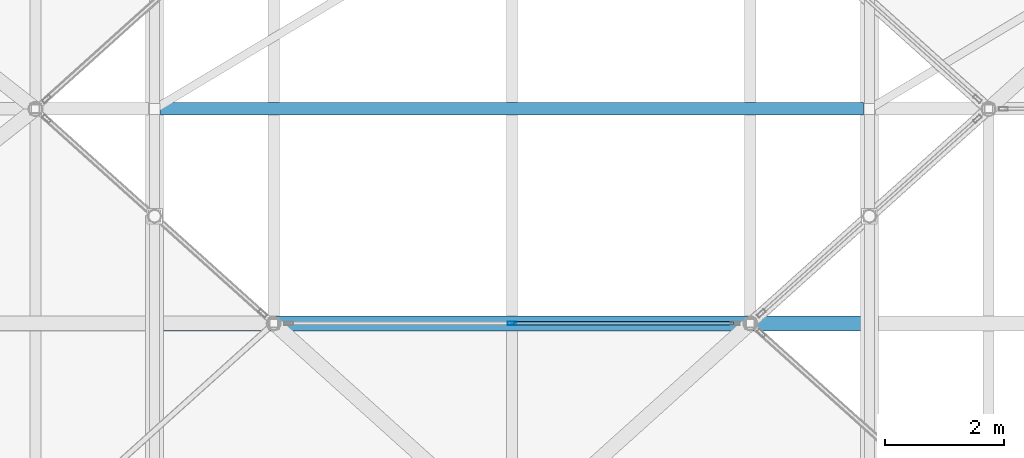
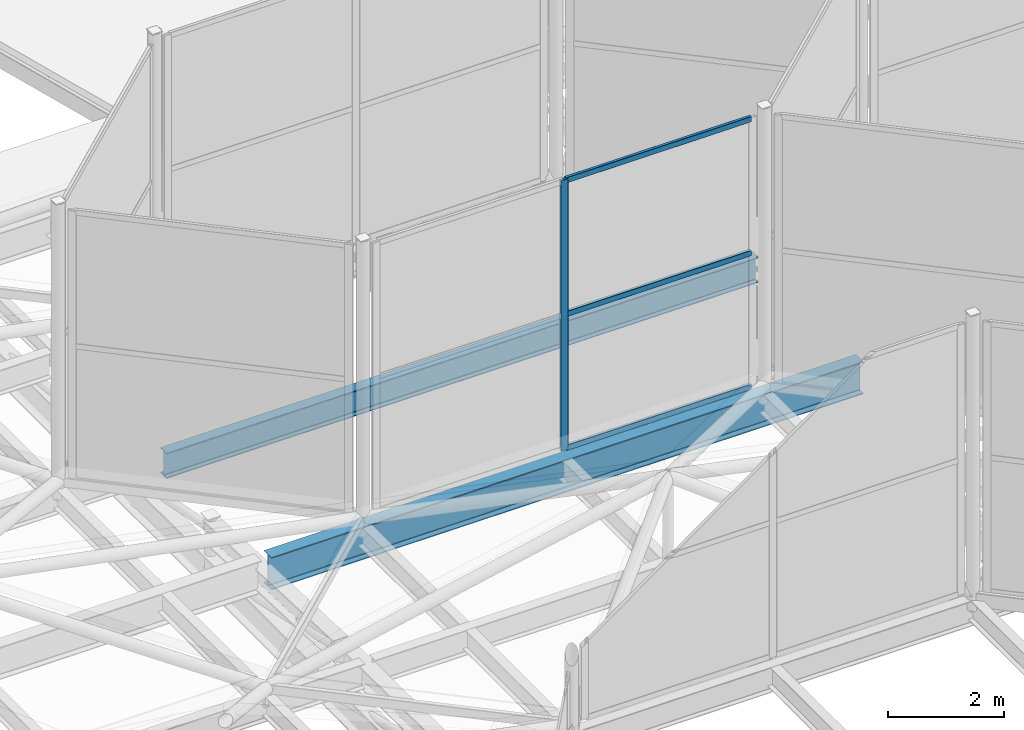
# One storey, part 69 of 239: 4 members, 2 beams, 1 element without a shape of its own.
"""IFC4 building model written with IfcOpenShell, lengths in metres."""

from ifc_helpers import new_model, si_unit, direction, frame, origin, origin_2d, place, context, subcontext, project, spatial, hollow_rectangle, i_section, extrude, material, layer, layer_set, material_profile, profile_set, type_object, element, aggregate, save


model = new_model("IFC4")

# Units and contexts
model_context = context("Model", 3, precision=1e-05, world=origin(), true_north=direction((0.0, 1.0)))
body_context = subcontext(model_context, "Body", "Model", "MODEL_VIEW")
ifc_project = project(units=[si_unit("LENGTHUNIT", "METRE"), si_unit("AREAUNIT", "SQUARE_METRE"), si_unit("VOLUMEUNIT", "CUBIC_METRE"), si_unit("PLANEANGLEUNIT", "RADIAN"), si_unit("MASSUNIT", "GRAM", prefix="KILO")], contexts=[model_context])

# Site, building, storey
site_placement = place(None, origin())
site = spatial("IfcSite", under=ifc_project, at=site_placement, CompositionType="ELEMENT")
building_placement = place(site_placement, origin())
building = spatial("IfcBuilding", under=site, at=building_placement, Name="Dunvalen Ferry Terminal", CompositionType="ELEMENT")
storey_placement = place(building_placement, frame((0.0, 0.0, 9.840087890625)))
storey = spatial("IfcBuildingStorey", under=building, at=storey_placement, Name="L02", CompositionType="ELEMENT", Elevation=9.840087890625)

# Curtain wall, members
ifc_material_1 = material(Name="Anodised marine aluminium and solar-control glazing", Category="aluminium")
ifc_layer = layer(ifc_material_1, 0.179931640625, Name="Anodised marine aluminium and solar-control glazing")
ifc_layer_set = layer_set([ifc_layer], Name="Anodised marine aluminium and solar-control glazing")
curtain_wall_type = type_object("IfcCurtainWallType", Name="ENV-CW-SYS-06", PredefinedType="NOTDEFINED", material=ifc_layer_set)
curtain_wall_placement = place(storey_placement, origin())
curtain_wall = element("IfcCurtainWall", 1, at=curtain_wall_placement, inside=storey, type_object=curtain_wall_type, Name="L02 Curtain Wall CW-HEX-16-SK-2", PredefinedType="NOTDEFINED")
ifc_material_2 = material(Name="Anodised marine aluminium EN AW-6063 T6", Category="aluminium")
ifc_material_profile_1 = material_profile(ifc_material_2, hollow_rectangle(XDim=0.06005859375, YDim=0.14990234375, WallThickness=0.00341796875, InnerFilletRadius=0.00341796875, OuterFilletRadius=0.007080078125, at=origin_2d()), Name="Anodised marine aluminium EN AW-6063 T6")
ifc_profile_set_1 = profile_set([ifc_material_profile_1], Name="Anodised marine aluminium EN AW-6063 T6")
member_type_1 = type_object("IfcMemberType", Name="ENV-CW-MUL-3", PredefinedType="MULLION", material=ifc_profile_set_1)
member_1_placement = place(storey_placement, frame((30.0, 75.60009765625, 1.139892578125), z_axis=(0.0, 0.0, 1.0), x_axis=(0.0, 1.0, 0.0)))
member_1 = element("IfcMember", 2, at=member_1_placement, type_object=member_type_1, Name="CW-06 mullion 2", PredefinedType="MULLION", context=body_context, shape_type="SweptSolid", body=[
    extrude(hollow_rectangle(XDim=0.06005859375, YDim=0.14990234375, WallThickness=0.00341796875, InnerFilletRadius=0.00341796875, OuterFilletRadius=0.007080078125, at=origin_2d()), origin(), (0.0, 0.0, 1.0), 5.699951171875),
])
ifc_material_profile_2 = material_profile(ifc_material_2, hollow_rectangle(XDim=0.06005859375, YDim=0.114990234375, WallThickness=0.0029296875, InnerFilletRadius=0.0029296875, OuterFilletRadius=0.006103515625, at=origin_2d()), Name="Anodised marine aluminium EN AW-6063 T6")
ifc_profile_set_2 = profile_set([ifc_material_profile_2], Name="Anodised marine aluminium EN AW-6063 T6")
member_type_2 = type_object("IfcMemberType", Name="ENV-CW-TRN-3", PredefinedType="USERDEFINED", material=ifc_profile_set_2)
member_2_placement = place(storey_placement, frame((30.030029296875, 75.60009765625, 1.169921875), z_axis=(1.0, 0.0, 0.0), x_axis=(0.0, 1.0, 0.0)))
member_2 = element("IfcMember", 3, at=member_2_placement, type_object=member_type_2, Name="CW-06 transom 2.1", ObjectType="TRANSOM", PredefinedType="USERDEFINED", context=body_context, shape_type="SweptSolid", body=[
    extrude(hollow_rectangle(XDim=0.06005859375, YDim=0.114990234375, WallThickness=0.0029296875, InnerFilletRadius=0.0029296875, OuterFilletRadius=0.006103515625, at=origin_2d()), origin(), (0.0, 0.0, 1.0), 3.68994140625),
])
member_3_placement = place(storey_placement, frame((30.030029296875, 75.60009765625, 3.989990234375), z_axis=(1.0, 0.0, 0.0), x_axis=(0.0, 1.0, 0.0)))
member_3 = element("IfcMember", 4, at=member_3_placement, type_object=member_type_2, Name="CW-06 transom 2.2", ObjectType="TRANSOM", PredefinedType="USERDEFINED", context=body_context, shape_type="SweptSolid", body=[
    extrude(hollow_rectangle(XDim=0.06005859375, YDim=0.114990234375, WallThickness=0.0029296875, InnerFilletRadius=0.0029296875, OuterFilletRadius=0.006103515625, at=origin_2d()), origin(), (0.0, 0.0, 1.0), 3.68994140625),
])
member_4_placement = place(storey_placement, frame((30.030029296875, 75.60009765625, 6.809814453125), z_axis=(1.0, 0.0, 0.0), x_axis=(0.0, 1.0, 0.0)))
member_4 = element("IfcMember", 5, at=member_4_placement, type_object=member_type_2, Name="CW-06 transom 2.3", ObjectType="TRANSOM", PredefinedType="USERDEFINED", context=body_context, shape_type="SweptSolid", body=[
    extrude(hollow_rectangle(XDim=0.06005859375, YDim=0.114990234375, WallThickness=0.0029296875, InnerFilletRadius=0.0029296875, OuterFilletRadius=0.006103515625, at=origin_2d()), origin(), (0.0, 0.0, 1.0), 3.68994140625),
])
aggregate(curtain_wall, [member_1, member_2, member_3, member_4])

# Beams
ifc_material_3 = material(Name="Steel S355", Category="steel")
ifc_material_profile_3 = material_profile(ifc_material_3, i_section(OverallWidth=0.209228515625, OverallDepth=0.533203125, WebThickness=0.010009765625, FlangeThickness=0.015625, FilletRadius=0.0126953125, at=origin_2d()), Name="Steel S355")
ifc_profile_set_3 = profile_set([ifc_material_profile_3], Name="Steel S355")
beam_type_1 = type_object("IfcBeamType", Name="STR-BM-UKB533", PredefinedType="BEAM", material=ifc_profile_set_3)
beam_1_placement = place(storey_placement, frame((24.10009765625, 79.199951171875, 0.7333984375), z_axis=(1.0, 0.0, 0.0), x_axis=(0.0, 1.0, 0.0)))
element("IfcBeam", 6, at=beam_1_placement, inside=storey, type_object=beam_type_1, Name="Departure Hall Spine Girder B2.09", PredefinedType="BEAM", context=body_context, shape_type="SweptSolid", body=[
    extrude(i_section(OverallWidth=0.209228515625, OverallDepth=0.533203125, WebThickness=0.010009765625, FlangeThickness=0.015625, FilletRadius=0.0126953125, at=origin_2d()), origin(), (0.0, 0.0, 1.0), 11.7998046875),
])
ifc_material_profile_4 = material_profile(ifc_material_3, i_section(OverallWidth=0.253662109375, OverallDepth=0.68359375, WebThickness=0.012451171875, FlangeThickness=0.01904296875, FilletRadius=0.01513671875, at=origin_2d()), Name="Steel S355")
ifc_profile_set_4 = profile_set([ifc_material_profile_4], Name="Steel S355")
beam_type_2 = type_object("IfcBeamType", Name="STR-BM-UKB686", PredefinedType="BEAM", material=ifc_profile_set_4)
beam_2_placement = place(storey_placement, frame((24.10009765625, 75.60009765625, 0.658203125), z_axis=(1.0, 0.0, 0.0), x_axis=(0.0, 1.0, 0.0)))
element("IfcBeam", 7, at=beam_2_placement, inside=storey, type_object=beam_type_2, Name="Departure Hall Spine Girder B2.08", PredefinedType="BEAM", context=body_context, shape_type="SweptSolid", body=[
    extrude(i_section(OverallWidth=0.253662109375, OverallDepth=0.68359375, WebThickness=0.012451171875, FlangeThickness=0.01904296875, FilletRadius=0.01513671875, at=origin_2d()), origin(), (0.0, 0.0, 1.0), 11.7998046875),
])

save(model, "model.ifc")
